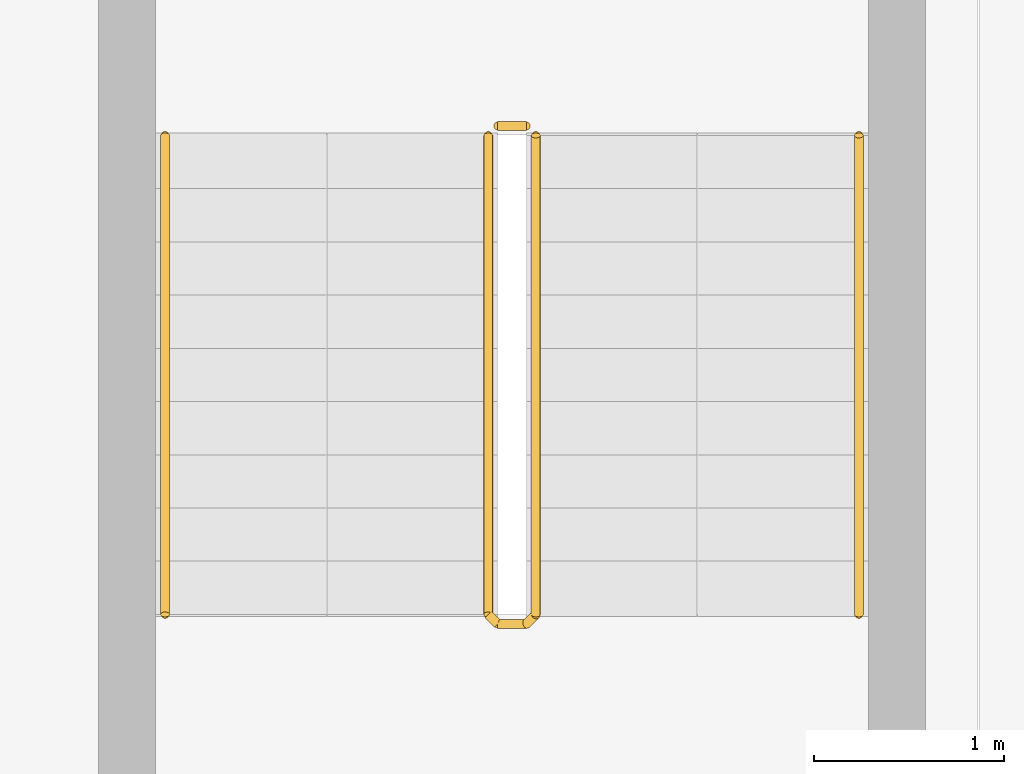
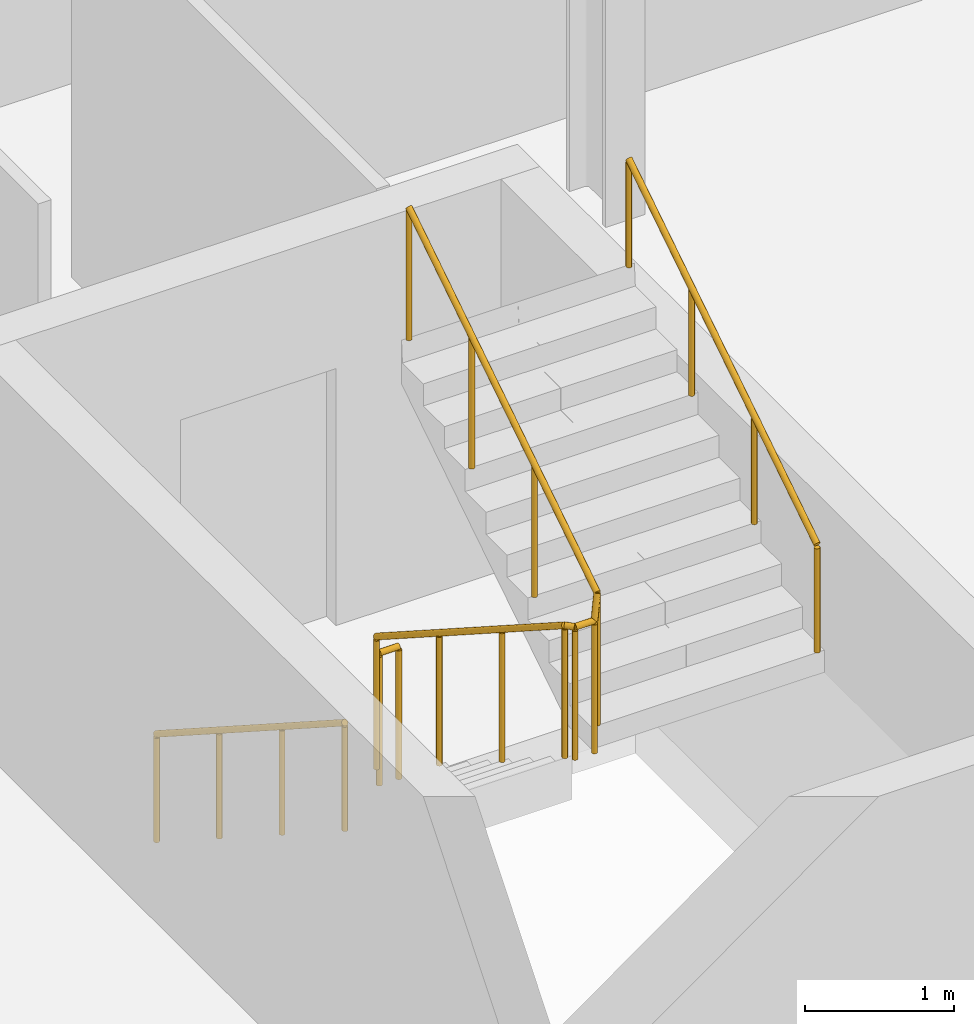
# One storey, part 25 of 27: 4 railings.
"""IFC4 building model written with IfcOpenShell, lengths in metres."""

from ifc_helpers import new_model, si_unit, direction, frame, origin, origin_2d, place, context, subcontext, project, spatial, circle, extrude, material, type_object, element, save


model = new_model("IFC4")

# Units and contexts
model_context = context("Model", 3, precision=1e-05, world=origin(), true_north=direction((0.0, 1.0)))
body_context = subcontext(model_context, "Body", "Model", "MODEL_VIEW")
ifc_project = project(units=[si_unit("LENGTHUNIT", "METRE"), si_unit("AREAUNIT", "SQUARE_METRE"), si_unit("VOLUMEUNIT", "CUBIC_METRE"), si_unit("PLANEANGLEUNIT", "RADIAN"), si_unit("MASSUNIT", "GRAM", prefix="KILO")], contexts=[model_context])

# Site, building, storey
site_placement = place(None, origin())
site = spatial("IfcSite", under=ifc_project, at=site_placement, CompositionType="ELEMENT")
building_placement = place(site_placement, origin())
building = spatial("IfcBuilding", under=site, at=building_placement, Name="Wharfspan Tower", CompositionType="ELEMENT")
storey_placement = place(building_placement, frame((0.0, 0.0, 139.899902)))
storey = spatial("IfcBuildingStorey", under=building, at=storey_placement, Name="L33", CompositionType="ELEMENT", Elevation=139.899902)

# Railings
ifc_material = material(Name="Steel S355J2", Category="steel")
railing_type_1 = type_object("IfcRailingType", Name="Stair guard 1100", PredefinedType="GUARDRAIL", material=ifc_material)
railing_1_placement = place(storey_placement, frame((43.235352, 6.316895, 0.180176)))
element("IfcRailing", 1, at=railing_1_placement, inside=storey, type_object=railing_type_1, Name="L33 ST4 stair guard 1", PredefinedType="GUARDRAIL", context=body_context, shape_type="SweptSolid", body=[
    extrude(circle(Radius=0.023926, at=origin_2d()), frame((0.0, 0.0, 1.076172), z_axis=(0.0, -0.8412, 0.540725), x_axis=(1.0, 0.0, 0.0)), (0.0, 0.0, 1.0), 2.99585),
    extrude(circle(Radius=0.023926, at=origin_2d()), frame((0.0, -2.52002, 2.695801), z_axis=(0.707107, -0.707107, 0.0), x_axis=(0.707107, 0.707107, 0.0)), (0.0, 0.0, 1.0), 0.070312),
    extrude(circle(Radius=0.023926, at=origin_2d()), frame((0.049805, -2.569824, 2.695801), z_axis=(1.0, 0.0, 0.0), x_axis=(0.0, 1.0, 0.0)), (0.0, 0.0, 1.0), 0.150146),
    extrude(circle(Radius=0.023926, at=origin_2d()), frame((0.199951, -2.569824, 2.695801), z_axis=(0.258932, 0.257669, 0.930892), x_axis=(-0.705372, 0.708833, -1e-06)), (0.0, 0.0, 1.0), 0.193359),
    extrude(circle(Radius=0.023926, at=origin_2d()), frame((0.25, -2.52002, 2.875977), z_axis=(0.0, 0.841163, 0.540782), x_axis=(-1.0, 0.0, 0.0)), (0.0, 0.0, 1.0), 2.99585),
    extrude(circle(Radius=0.020996, at=origin_2d()), origin(), (0.0, 0.0, 1.0), 1.052002),
    extrude(circle(Radius=0.020996, at=origin_2d()), frame((0.0, -0.840088, 0.540039)), (0.0, 0.0, 1.0), 1.052002),
    extrude(circle(Radius=0.020996, at=origin_2d()), frame((0.0, -1.679932, 1.079834)), (0.0, 0.0, 1.0), 1.052002),
    extrude(circle(Radius=0.020996, at=origin_2d()), frame((0.0, -2.52002, 1.619873)), (0.0, 0.0, 1.0), 1.052002),
    extrude(circle(Radius=0.020996, at=origin_2d()), frame((0.049805, -2.569824, 1.619873)), (0.0, 0.0, 1.0), 1.052002),
    extrude(circle(Radius=0.020996, at=origin_2d()), frame((0.199951, -2.569824, 1.619873)), (0.0, 0.0, 1.0), 1.052002),
    extrude(circle(Radius=0.020996, at=origin_2d()), frame((0.25, -2.52002, 1.799805)), (0.0, 0.0, 1.0), 1.052002),
    extrude(circle(Radius=0.020996, at=origin_2d()), frame((0.25, -1.679932, 2.339844)), (0.0, 0.0, 1.0), 1.052002),
    extrude(circle(Radius=0.020996, at=origin_2d()), frame((0.25, -0.840088, 2.879883)), (0.0, 0.0, 1.0), 1.052002),
    extrude(circle(Radius=0.020996, at=origin_2d()), frame((0.25, 0.0, 3.419922)), (0.0, 0.0, 1.0), 1.052002),
])
railing_2_placement = place(storey_placement, frame((43.285156, 6.366943, 0.0)))
element("IfcRailing", 2, at=railing_2_placement, inside=storey, type_object=railing_type_1, Name="L33 ST4 stair guard 2", PredefinedType="GUARDRAIL", context=body_context, shape_type="SweptSolid", body=[
    extrude(circle(Radius=0.023926, at=origin_2d()), frame((0.0, 0.0, 1.076172), z_axis=(1.0, 0.0, 0.0), x_axis=(0.0, 1.0, 0.0)), (0.0, 0.0, 1.0), 0.150146),
    extrude(circle(Radius=0.020996, at=origin_2d()), origin(), (0.0, 0.0, 1.0), 1.052002),
    extrude(circle(Radius=0.020996, at=origin_2d()), frame((0.150146, 0.0, 0.0)), (0.0, 0.0, 1.0), 1.052002),
])
railing_type_2 = type_object("IfcRailingType", Name="Stair handrail 900", PredefinedType="HANDRAIL", material=ifc_material)
railing_3_placement = place(storey_placement, frame((41.535156, 6.316895, 0.180176)))
element("IfcRailing", 3, at=railing_3_placement, inside=storey, type_object=railing_type_2, Name="L33 ST4 stair handrail 1", PredefinedType="HANDRAIL", context=body_context, shape_type="SweptSolid", body=[
    extrude(circle(Radius=0.023926, at=origin_2d()), frame((0.0, 0.0, 0.875977), z_axis=(0.0, -0.8412, 0.540725), x_axis=(1.0, 0.0, 0.0)), (0.0, 0.0, 1.0), 2.99585),
    extrude(circle(Radius=0.020996, at=origin_2d()), origin(), (0.0, 0.0, 1.0), 0.851807),
    extrude(circle(Radius=0.020996, at=origin_2d()), frame((0.0, -0.840088, 0.540039)), (0.0, 0.0, 1.0), 0.851807),
    extrude(circle(Radius=0.020996, at=origin_2d()), frame((0.0, -1.679932, 1.079834)), (0.0, 0.0, 1.0), 0.851807),
    extrude(circle(Radius=0.020996, at=origin_2d()), frame((0.0, -2.52002, 1.619873)), (0.0, 0.0, 1.0), 0.851807),
])
railing_4_placement = place(storey_placement, frame((45.185303, 3.796875, 1.97998)))
element("IfcRailing", 4, at=railing_4_placement, inside=storey, type_object=railing_type_2, Name="L33 ST4 stair handrail 2", PredefinedType="HANDRAIL", context=body_context, shape_type="SweptSolid", body=[
    extrude(circle(Radius=0.023926, at=origin_2d()), frame((0.0, 0.0, 0.875977), z_axis=(0.0, 0.841163, 0.540782), x_axis=(-1.0, 0.0, 0.0)), (0.0, 0.0, 1.0), 2.99585),
    extrude(circle(Radius=0.020996, at=origin_2d()), origin(), (0.0, 0.0, 1.0), 0.851807),
    extrude(circle(Radius=0.020996, at=origin_2d()), frame((0.0, 0.840088, 0.540039)), (0.0, 0.0, 1.0), 0.851807),
    extrude(circle(Radius=0.020996, at=origin_2d()), frame((0.0, 1.679932, 1.080078)), (0.0, 0.0, 1.0), 0.851807),
    extrude(circle(Radius=0.020996, at=origin_2d()), frame((0.0, 2.52002, 1.620117)), (0.0, 0.0, 1.0), 0.851807),
])

save(model, "model.ifc")
